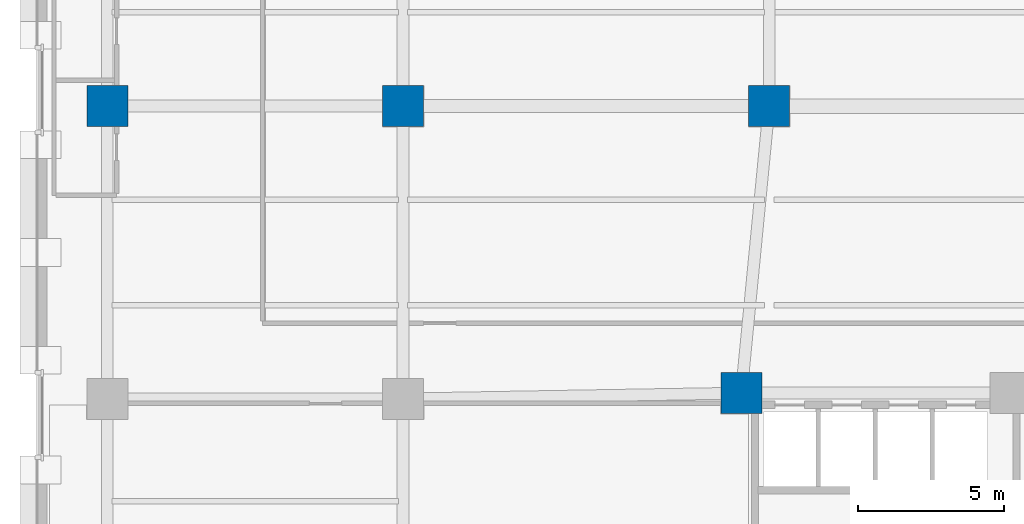
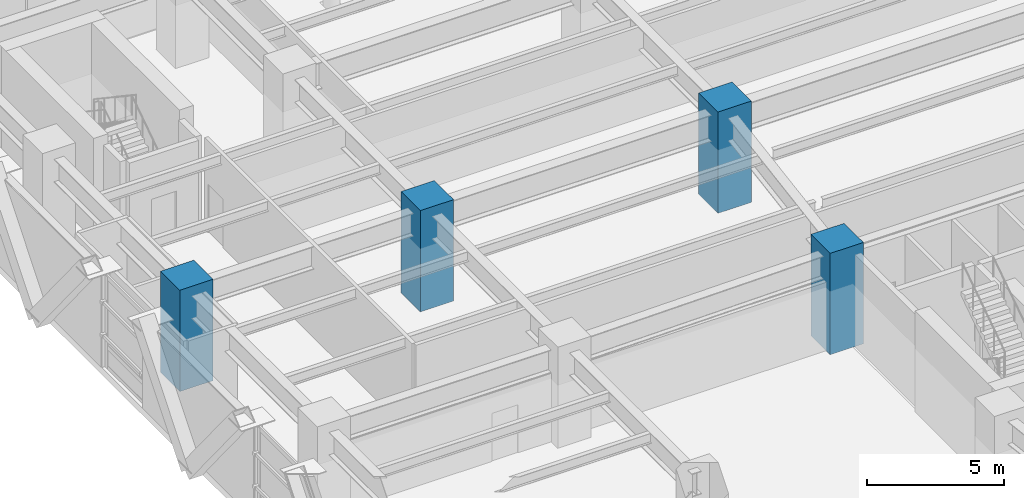
# One storey, part 2 of 26: 4 columns.
"""IFC4 building model written with IfcOpenShell, lengths in metres."""

from ifc_helpers import new_model, si_unit, direction, frame, origin, origin_2d, place, context, subcontext, project, spatial, rectangle, extrude, material, material_profile, profile_set, type_object, element, save


model = new_model("IFC4")

# Units and contexts
model_context = context("Model", 3, precision=1e-05, world=origin(), true_north=direction((0.0, 1.0)))
body_context = subcontext(model_context, "Body", "Model", "MODEL_VIEW")
ifc_project = project(units=[si_unit("LENGTHUNIT", "METRE"), si_unit("AREAUNIT", "SQUARE_METRE"), si_unit("VOLUMEUNIT", "CUBIC_METRE"), si_unit("PLANEANGLEUNIT", "RADIAN"), si_unit("MASSUNIT", "GRAM", prefix="KILO")], contexts=[model_context])

# Site, building, storey
site_placement = place(None, origin())
site = spatial("IfcSite", under=ifc_project, at=site_placement, CompositionType="ELEMENT")
building_placement = place(site_placement, origin())
building = spatial("IfcBuilding", under=site, at=building_placement, Name="Quenlor Broadcast Tower", CompositionType="ELEMENT")
storey_placement = place(building_placement, frame((0.0, 0.0, 18.5)))
storey = spatial("IfcBuildingStorey", under=building, at=storey_placement, Name="L04", CompositionType="ELEMENT", Elevation=18.5)

# Columns
ifc_material_1 = material(Name="Concrete C65/80", Category="concrete")
ifc_material_profile_1 = material_profile(ifc_material_1, rectangle(XDim=1.39990234375, YDim=1.39990234375, at=origin_2d()))
ifc_profile_set_1 = profile_set([ifc_material_profile_1], Name="Concrete C65/80 RC1400x1400")
column_type_1 = type_object("IfcColumnType", Name="Core Corner Column Lower Concrete C65/80 1400", PredefinedType="COLUMN", material=ifc_profile_set_1)
column_placement = place(storey_placement, frame((-12.949951171875, -4.800048828125, 0.0), z_axis=(0.0, 0.0, 1.0), x_axis=(1.0, 0.0, 0.0)))
element("IfcColumn", 1, at=column_placement, inside=storey, type_object=column_type_1, Name="L04 Core Column CC7", PredefinedType="COLUMN", context=body_context, shape_type="SweptSolid", body=[
    extrude(rectangle(XDim=1.39990234375, YDim=1.39990234375, at=origin_2d()), origin(), (0.0, 0.0, 1.0), 4.5),
])
ifc_material_2 = material(Name="Concrete C65/80", Category="concrete")
ifc_material_profile_2 = material_profile(ifc_material_2, rectangle(XDim=1.39990234375, YDim=1.39990234375, at=origin_2d()))
ifc_profile_set_2 = profile_set([ifc_material_profile_2], Name="Concrete C65/80 RC1400x1400")
column_type_2 = type_object("IfcColumnType", Name="Podium Mega Column Concrete C65/80 1400", PredefinedType="COLUMN", material=ifc_profile_set_2)
for number, where, z_axis, x_axis, name in (
    (2, (-34.60009765625, 5.0, 0.0), (0.0, 0.0, 1.0), (1.0, 0.0, 0.0), "L04 Podium Mega Column PM15"),
    (3, (-24.5, 5.0, 0.0), (0.0, 0.0, 1.0), (1.0, 0.0, 0.0), "L04 Podium Mega Column PM16"),
    (4, (-12.0, 5.0, 0.0), (0.0, 0.0, 1.0), (1.0, 0.0, 0.0), "L04 Podium Mega Column PM17"),
):
    element("IfcColumn", number, at=place(storey_placement, frame(where, z_axis=z_axis, x_axis=x_axis)), inside=storey, type_object=column_type_2, Name=name, PredefinedType="COLUMN", context=body_context, shape_type="SweptSolid", body=[
        extrude(rectangle(XDim=1.39990234375, YDim=1.39990234375, at=origin_2d()), origin(), (0.0, 0.0, 1.0), 4.5),
    ])

save(model, "model.ifc")
